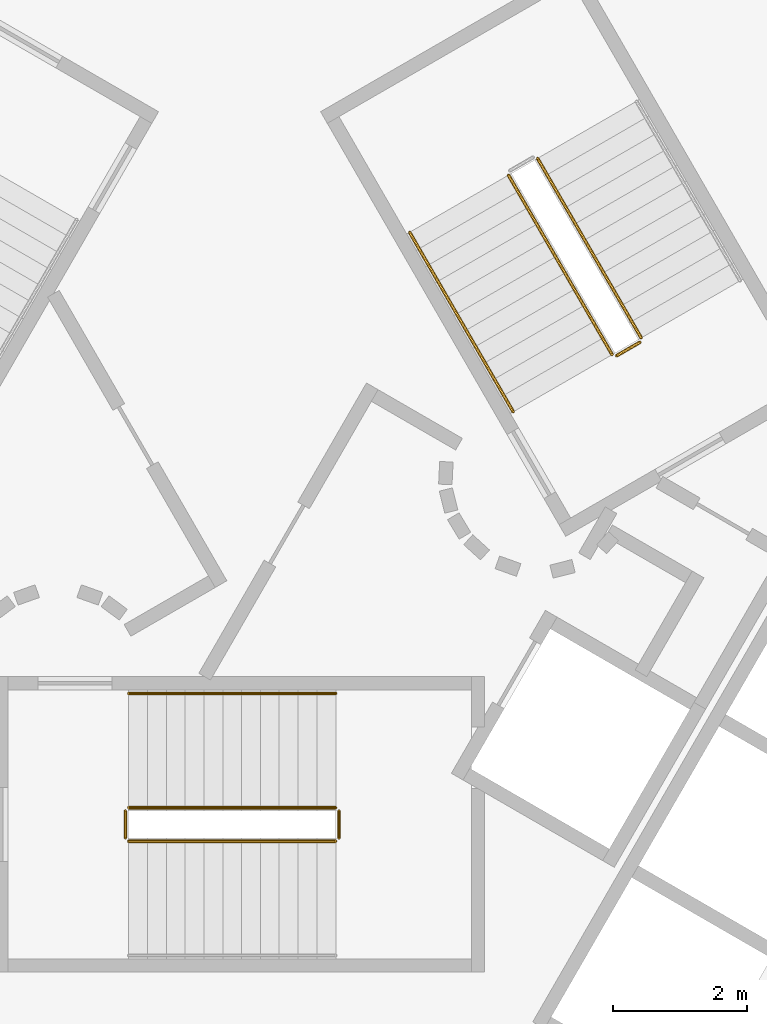
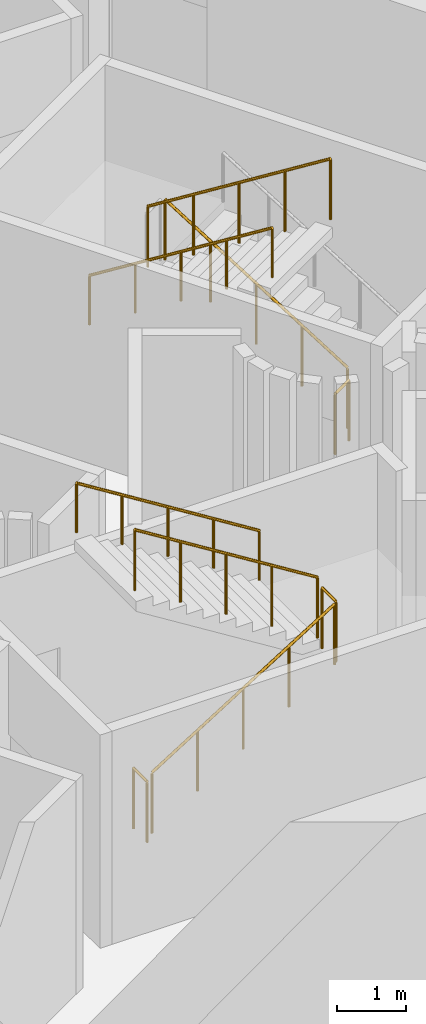
# One storey, part 14 of 17: 9 railings.
"""IFC4 building model written with IfcOpenShell, lengths in metres."""

from ifc_helpers import new_model, si_unit, direction, frame, origin, origin_2d, place, context, subcontext, project, spatial, circle, extrude, material, type_object, element, save


model = new_model("IFC4")

# Units and contexts
model_context = context("Model", 3, precision=1e-05, world=origin(), true_north=direction((0.0, 1.0)))
body_context = subcontext(model_context, "Body", "Model", "MODEL_VIEW")
ifc_project = project(units=[si_unit("LENGTHUNIT", "METRE"), si_unit("AREAUNIT", "SQUARE_METRE"), si_unit("VOLUMEUNIT", "CUBIC_METRE"), si_unit("PLANEANGLEUNIT", "RADIAN"), si_unit("MASSUNIT", "GRAM", prefix="KILO")], contexts=[model_context])

# Site, building, storey
site_placement = place(None, origin())
site = spatial("IfcSite", under=ifc_project, at=site_placement, CompositionType="ELEMENT")
building_placement = place(site_placement, origin())
building = spatial("IfcBuilding", under=site, at=building_placement, Name="Entoto Arch Interchange Tower", CompositionType="ELEMENT")
storey_placement = place(building_placement, frame((0.0, 0.0, 167.60009765625)))
storey = spatial("IfcBuildingStorey", under=building, at=storey_placement, Name="L37", CompositionType="ELEMENT", Elevation=167.60009765625)

# Railings
ifc_material = material(Name="Stainless steel 1.4301", Category="steel")
railing_type_1 = type_object("IfcRailingType", Name="STAIR GUARD 1100 STEEL", PredefinedType="GUARDRAIL", material=ifc_material)
railing_1_placement = place(storey_placement, frame((-1.64990234375, -3.449951171875, 0.1748046875)))
element("IfcRailing", 1, at=railing_1_placement, inside=storey, type_object=railing_type_1, Name="L37 ST-S stair guard 1", PredefinedType="GUARDRAIL", context=body_context, shape_type="SweptSolid", body=[
    extrude(circle(Radius=0.02392578125, at=origin_2d()), frame((0.0, 0.0, 1.076171875), z_axis=(0.847979421464, 0.0, 0.530029150871), x_axis=(0.0, 1.0, 0.0)), (0.0, 0.0, 1.0), 3.632080078125),
    extrude(circle(Radius=0.02099609375, at=origin_2d()), origin(), (0.0, 0.0, 1.0), 1.052001953125),
    extrude(circle(Radius=0.02099609375, at=origin_2d()), frame((0.77001953125, 0.0, 0.481201171875)), (0.0, 0.0, 1.0), 1.052001953125),
    extrude(circle(Radius=0.02099609375, at=origin_2d()), frame((1.5400390625, 0.0, 0.96240234375)), (0.0, 0.0, 1.0), 1.052001953125),
    extrude(circle(Radius=0.02099609375, at=origin_2d()), frame((2.309814453125, 0.0, 1.44384765625)), (0.0, 0.0, 1.0), 1.052001953125),
    extrude(circle(Radius=0.02099609375, at=origin_2d()), frame((3.079833984375, 0.0, 1.925048828125)), (0.0, 0.0, 1.0), 1.052001953125),
])
railing_2_placement = place(storey_placement, frame((1.47998046875, -3.39990234375, 2.099853515625)))
element("IfcRailing", 2, at=railing_2_placement, inside=storey, type_object=railing_type_1, Name="L37 ST-S stair guard 2", PredefinedType="GUARDRAIL", context=body_context, shape_type="SweptSolid", body=[
    extrude(circle(Radius=0.02392578125, at=origin_2d()), frame((0.0, 0.0, 1.076171875), z_axis=(0.0, 1.0, 0.0), x_axis=(-1.0, 0.0, 0.0)), (0.0, 0.0, 1.0), 0.39990234375),
    extrude(circle(Radius=0.02099609375, at=origin_2d()), origin(), (0.0, 0.0, 1.0), 1.052001953125),
    extrude(circle(Radius=0.02099609375, at=origin_2d()), frame((0.0, 0.39990234375, 0.0)), (0.0, 0.0, 1.0), 1.052001953125),
])
railing_3_placement = place(storey_placement, frame((1.429931640625, -2.949951171875, 2.27490234375)))
element("IfcRailing", 3, at=railing_3_placement, inside=storey, type_object=railing_type_1, Name="L37 ST-S stair guard 3", PredefinedType="GUARDRAIL", context=body_context, shape_type="SweptSolid", body=[
    extrude(circle(Radius=0.02392578125, at=origin_2d()), frame((0.0, 0.0, 1.076171875), z_axis=(-0.847979421464, 0.0, 0.530029150871), x_axis=(0.0, -1.0, 0.0)), (0.0, 0.0, 1.0), 3.632080078125),
    extrude(circle(Radius=0.02099609375, at=origin_2d()), origin(), (0.0, 0.0, 1.0), 1.052001953125),
    extrude(circle(Radius=0.02099609375, at=origin_2d()), frame((-0.77001953125, 0.0, 0.481201171875)), (0.0, 0.0, 1.0), 1.052001953125),
    extrude(circle(Radius=0.02099609375, at=origin_2d()), frame((-1.5400390625, 0.0, 0.96240234375)), (0.0, 0.0, 1.0), 1.052001953125),
    extrude(circle(Radius=0.02099609375, at=origin_2d()), frame((-2.309814453125, 0.0, 1.44384765625)), (0.0, 0.0, 1.0), 1.052001953125),
    extrude(circle(Radius=0.02099609375, at=origin_2d()), frame((-3.079833984375, 0.0, 1.925048828125)), (0.0, 0.0, 1.0), 1.052001953125),
])
railing_4_placement = place(storey_placement, frame((-1.699951171875, -3.39990234375, 0.0)))
element("IfcRailing", 4, at=railing_4_placement, inside=storey, type_object=railing_type_1, Name="L37 ST-S stair guard 4", PredefinedType="GUARDRAIL", context=body_context, shape_type="SweptSolid", body=[
    extrude(circle(Radius=0.02392578125, at=origin_2d()), frame((0.0, 0.0, 1.076171875), z_axis=(0.0, 1.0, 0.0), x_axis=(-1.0, 0.0, 0.0)), (0.0, 0.0, 1.0), 0.39990234375),
    extrude(circle(Radius=0.02099609375, at=origin_2d()), origin(), (0.0, 0.0, 1.0), 1.052001953125),
    extrude(circle(Radius=0.02099609375, at=origin_2d()), frame((0.0, 0.39990234375, 0.0)), (0.0, 0.0, 1.0), 1.052001953125),
])
railing_5_placement = place(storey_placement, frame((5.977783203125, 4.046142578125, 0.1748046875)))
element("IfcRailing", 5, at=railing_5_placement, inside=storey, type_object=railing_type_1, Name="L37 ST-NE stair guard 1", PredefinedType="GUARDRAIL", context=body_context, shape_type="SweptSolid", body=[
    extrude(circle(Radius=0.02392578125, at=origin_2d()), frame((0.0, 0.0, 1.076171875), z_axis=(-0.424015404183, 0.734364028329, 0.530019255228), x_axis=(-0.866010015463, -0.500026652407, 0.0)), (0.0, 0.0, 1.0), 3.632080078125),
    extrude(circle(Radius=0.02099609375, at=origin_2d()), origin(), (0.0, 0.0, 1.0), 1.052001953125),
    extrude(circle(Radius=0.02099609375, at=origin_2d()), frame((-0.385009765625, 0.666748046875, 0.481201171875)), (0.0, 0.0, 1.0), 1.052001953125),
    extrude(circle(Radius=0.02099609375, at=origin_2d()), frame((-0.77001953125, 1.33349609375, 0.96240234375)), (0.0, 0.0, 1.0), 1.052001953125),
    extrude(circle(Radius=0.02099609375, at=origin_2d()), frame((-1.155029296875, 2.00048828125, 1.44384765625)), (0.0, 0.0, 1.0), 1.052001953125),
    extrude(circle(Radius=0.02099609375, at=origin_2d()), frame((-1.5400390625, 2.667236328125, 1.925048828125)), (0.0, 0.0, 1.0), 1.052001953125),
])
railing_6_placement = place(storey_placement, frame((4.0048828125, 6.46337890625, 2.27490234375)))
element("IfcRailing", 6, at=railing_6_placement, inside=storey, type_object=railing_type_1, Name="L37 ST-NE stair guard 3", PredefinedType="GUARDRAIL", context=body_context, shape_type="SweptSolid", body=[
    extrude(circle(Radius=0.02392578125, at=origin_2d()), frame((0.0, 0.0, 1.076171875), z_axis=(0.424015404183, -0.734364028329, 0.530019255228), x_axis=(0.866010015463, 0.500026652407, 0.0)), (0.0, 0.0, 1.0), 3.632080078125),
    extrude(circle(Radius=0.02099609375, at=origin_2d()), origin(), (0.0, 0.0, 1.0), 1.052001953125),
    extrude(circle(Radius=0.02099609375, at=origin_2d()), frame((0.385009765625, -0.666748046875, 0.481201171875)), (0.0, 0.0, 1.0), 1.052001953125),
    extrude(circle(Radius=0.02099609375, at=origin_2d()), frame((0.77001953125, -1.33349609375, 0.96240234375)), (0.0, 0.0, 1.0), 1.052001953125),
    extrude(circle(Radius=0.02099609375, at=origin_2d()), frame((1.155029296875, -2.00048828125, 1.44384765625)), (0.0, 0.0, 1.0), 1.052001953125),
    extrude(circle(Radius=0.02099609375, at=origin_2d()), frame((1.5400390625, -2.667236328125, 1.925048828125)), (0.0, 0.0, 1.0), 1.052001953125),
])
railing_7_placement = place(storey_placement, frame((5.95947265625, 3.977783203125, 0.0)))
element("IfcRailing", 7, at=railing_7_placement, inside=storey, type_object=railing_type_1, Name="L37 ST-NE stair guard 4", PredefinedType="GUARDRAIL", context=body_context, shape_type="SweptSolid", body=[
    extrude(circle(Radius=0.02392578125, at=origin_2d()), frame((0.0, 0.0, 1.076171875), z_axis=(-0.866094119867, -0.499880961361, 0.0), x_axis=(0.499880961361, -0.866094119867, 0.0)), (0.0, 0.0, 1.0), 0.39990234375),
    extrude(circle(Radius=0.02099609375, at=origin_2d()), origin(), (0.0, 0.0, 1.0), 1.052001953125),
    extrude(circle(Radius=0.02099609375, at=origin_2d()), frame((-0.346435546875, -0.199951171875, 0.0)), (0.0, 0.0, 1.0), 1.052001953125),
])
railing_type_2 = type_object("IfcRailingType", Name="STAIR HANDRAIL 900 STEEL", PredefinedType="HANDRAIL", material=ifc_material)
railing_8_placement = place(storey_placement, frame((1.429931640625, -1.25, 2.27490234375)))
element("IfcRailing", 8, at=railing_8_placement, inside=storey, type_object=railing_type_2, Name="L37 ST-S stair handrail 2", PredefinedType="HANDRAIL", context=body_context, shape_type="SweptSolid", body=[
    extrude(circle(Radius=0.02392578125, at=origin_2d()), frame((0.0, 0.0, 0.8759765625), z_axis=(-0.847979421464, 0.0, 0.530029150871), x_axis=(0.0, -1.0, 0.0)), (0.0, 0.0, 1.0), 3.632080078125),
    extrude(circle(Radius=0.02099609375, at=origin_2d()), origin(), (0.0, 0.0, 1.0), 0.851806640625),
    extrude(circle(Radius=0.02099609375, at=origin_2d()), frame((-0.77001953125, 0.0, 0.481201171875)), (0.0, 0.0, 1.0), 0.851806640625),
    extrude(circle(Radius=0.02099609375, at=origin_2d()), frame((-1.5400390625, 0.0, 0.96240234375)), (0.0, 0.0, 1.0), 0.851806640625),
    extrude(circle(Radius=0.02099609375, at=origin_2d()), frame((-2.309814453125, 0.0, 1.44384765625)), (0.0, 0.0, 1.0), 0.851806640625),
    extrude(circle(Radius=0.02099609375, at=origin_2d()), frame((-3.079833984375, 0.0, 1.925048828125)), (0.0, 0.0, 1.0), 0.851806640625),
])
railing_9_placement = place(storey_placement, frame((2.53271484375, 5.613525390625, 2.27490234375)))
element("IfcRailing", 9, at=railing_9_placement, inside=storey, type_object=railing_type_2, Name="L37 ST-NE stair handrail 2", PredefinedType="HANDRAIL", context=body_context, shape_type="SweptSolid", body=[
    extrude(circle(Radius=0.02392578125, at=origin_2d()), frame((0.0, 0.0, 0.8759765625), z_axis=(0.423939339791, -0.734415923031, 0.53000819633), x_axis=(0.866064153644, 0.499932877268, 0.0)), (0.0, 0.0, 1.0), 3.632080078125),
    extrude(circle(Radius=0.02099609375, at=origin_2d()), origin(), (0.0, 0.0, 1.0), 0.851806640625),
    extrude(circle(Radius=0.02099609375, at=origin_2d()), frame((0.385009765625, -0.6669921875, 0.481201171875)), (0.0, 0.0, 1.0), 0.851806640625),
    extrude(circle(Radius=0.02099609375, at=origin_2d()), frame((0.77001953125, -1.333740234375, 0.96240234375)), (0.0, 0.0, 1.0), 0.851806640625),
    extrude(circle(Radius=0.02099609375, at=origin_2d()), frame((1.15478515625, -2.00048828125, 1.44384765625)), (0.0, 0.0, 1.0), 0.851806640625),
    extrude(circle(Radius=0.02099609375, at=origin_2d()), frame((1.539794921875, -2.66748046875, 1.925048828125)), (0.0, 0.0, 1.0), 0.851806640625),
])

save(model, "model.ifc")
